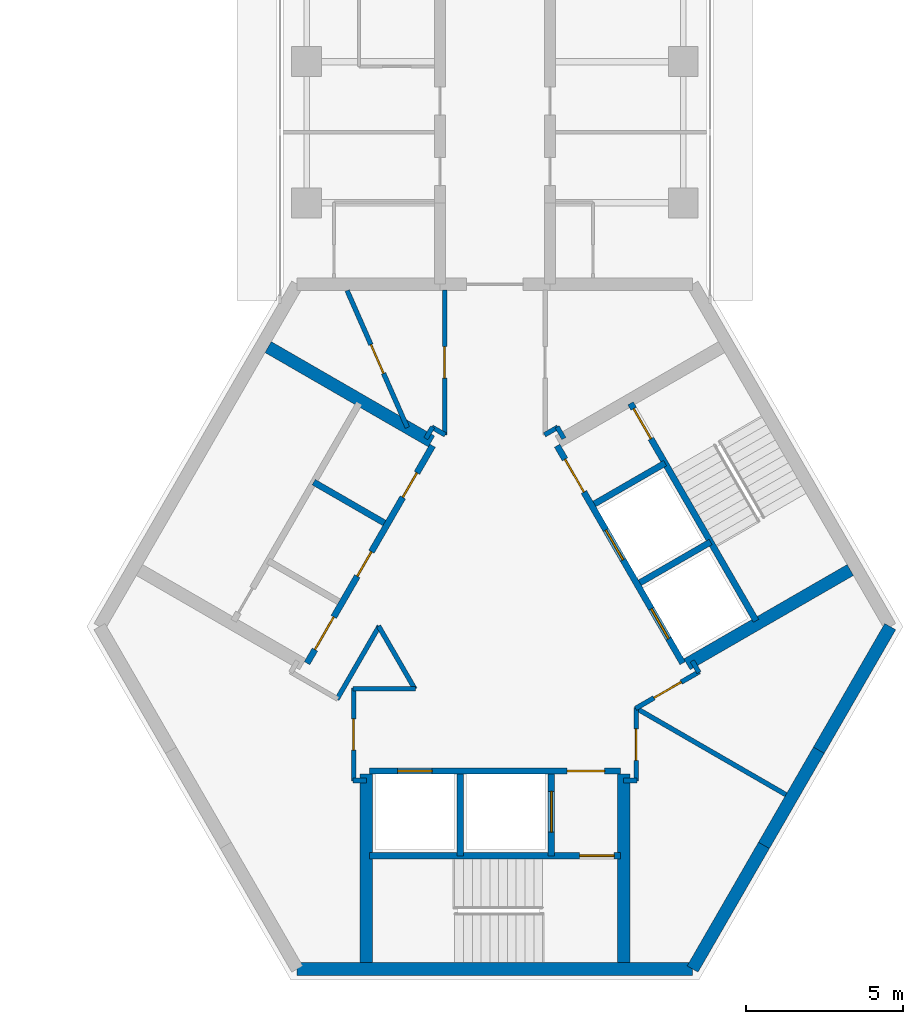
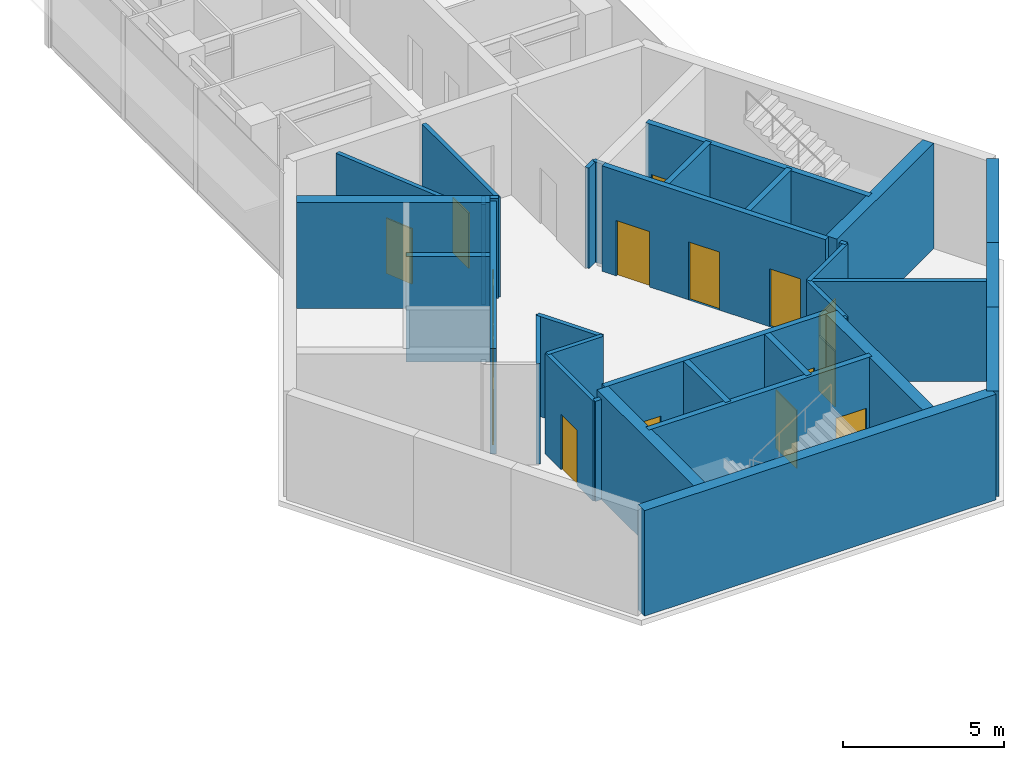
# One storey, part 8 of 11: 34 walls, 16 doors, 16 openings.
"""IFC4 building model written with IfcOpenShell, lengths in metres."""

from ifc_helpers import new_model, si_unit, direction, frame, frame_2d, origin, place, context, subcontext, project, spatial, rectangle, extrude, material, layer, layer_set, type_object, element, fill, save


model = new_model("IFC4")

# Units and contexts
model_context = context("Model", 3, precision=1e-05, world=origin(), true_north=direction((0.0, 1.0)))
body_context = subcontext(model_context, "Body", "Model", "MODEL_VIEW")
ifc_project = project(units=[si_unit("LENGTHUNIT", "METRE"), si_unit("AREAUNIT", "SQUARE_METRE"), si_unit("VOLUMEUNIT", "CUBIC_METRE"), si_unit("PLANEANGLEUNIT", "RADIAN"), si_unit("MASSUNIT", "GRAM", prefix="KILO")], contexts=[model_context])

# Site, building, storey
site_placement = place(None, origin())
site = spatial("IfcSite", under=ifc_project, at=site_placement, CompositionType="ELEMENT")
building_placement = place(site_placement, origin())
building = spatial("IfcBuilding", under=site, at=building_placement, Name="Upepo Twin Towers", CompositionType="ELEMENT")
storey_placement = place(building_placement, frame((0.0, 0.0, 267.5)))
storey = spatial("IfcBuildingStorey", under=building, at=storey_placement, Name="L65", CompositionType="ELEMENT", Elevation=267.5)

# Walls
ifc_material_1 = material(Name="Concrete C60/75", Category="concrete")
ifc_layer_1 = layer(ifc_material_1, 0.39990234375)
ifc_layer_set_1 = layer_set([ifc_layer_1], Name="Concrete C60/75")
wall_type_1 = type_object("IfcWallType", Name="Core wall 400 RC", PredefinedType="SHEAR", material=ifc_layer_set_1)
wall_1_placement = place(storey_placement, frame((52.2021484375, -28.908447265625, 0.0), z_axis=(0.0, 0.0, 1.0), x_axis=(1.0, 0.0, 0.0)))
element("IfcWall", 1, at=wall_1_placement, inside=storey, type_object=wall_type_1, Name="T2 core wall 180", PredefinedType="SHEAR", context=body_context, shape_type="SweptSolid", body=[
    extrude(rectangle(XDim=12.595703125, YDim=0.39990234375, at=frame_2d((6.2978515625, 0.0))), origin(), (0.0, 0.0, 1.0), 4.0),
])
wall_2_placement = place(storey_placement, frame((64.7978515625, -28.908447265625, 0.0), z_axis=(0.0, 0.0, 1.0), x_axis=(0.499984222037, 0.866034513004, 0.0)))
element("IfcWall", 2, at=wall_2_placement, inside=storey, type_object=wall_type_1, Name="T2 core wall 240 R", PredefinedType="SHEAR", context=body_context, shape_type="SweptSolid", body=[
    extrude(rectangle(XDim=4.548095703125, YDim=0.39990234375, at=frame_2d((2.27392578125, 0.0))), origin(), (0.0, 0.0, 1.0), 4.0),
])
wall_3_placement = place(storey_placement, frame((67.07177734375, -24.9697265625, 0.0), z_axis=(0.0, 0.0, 1.0), x_axis=(0.500010275428, 0.866019471182, 0.0)))
element("IfcWall", 3, at=wall_3_placement, inside=storey, type_object=wall_type_1, Name="T2 core wall 240", PredefinedType="SHEAR", context=body_context, shape_type="SweptSolid", body=[
    extrude(rectangle(XDim=3.5, YDim=0.39990234375, at=frame_2d((1.75, 0.0))), origin(), (0.0, 0.0, 1.0), 4.0),
])
wall_4_placement = place(storey_placement, frame((68.82177734375, -21.938720703125, 0.0), z_axis=(0.0, 0.0, 1.0), x_axis=(0.500024481964, 0.866011268655, 0.0)))
element("IfcWall", 4, at=wall_4_placement, inside=storey, type_object=wall_type_1, Name="T2 core wall 240 L", PredefinedType="SHEAR", context=body_context, shape_type="SweptSolid", body=[
    extrude(rectangle(XDim=4.548095703125, YDim=0.39990234375, at=frame_2d((2.27392578125, 0.0))), origin(), (0.0, 0.0, 1.0), 4.0),
])

# Wall, openings, doors
ifc_material_2 = material(Name="Concrete C40/50", Category="concrete")
ifc_layer_2 = layer(ifc_material_2, 0.199951171875)
ifc_layer_set_2 = layer_set([ifc_layer_2], Name="Concrete C40/50")
wall_type_2 = type_object("IfcWallType", Name="Shaft wall 200 RC", PredefinedType="SHEAR", material=ifc_layer_set_2)
wall_5_placement = place(storey_placement, frame((56.516357421875, -12.23583984375, 0.0), z_axis=(0.0, 0.0, 1.0), x_axis=(-0.49999894854, -0.866026010844, 0.0)))
wall_5 = element("IfcWall", 5, at=wall_5_placement, inside=storey, type_object=wall_type_2, Name="T2 core W60 front wall", PredefinedType="SHEAR", context=body_context, shape_type="SweptSolid", body=[
    extrude(rectangle(XDim=8.0, YDim=0.199951171875, at=frame_2d((4.0, 0.0))), origin(), (0.0, 0.0, 1.0), 4.0),
])
opening_1_placement = place(wall_5_placement, frame((6.300048828125, 0.0, 0.0)))
opening_1 = element("IfcOpeningElement", 6, at=opening_1_placement, cuts=wall_5, Name="Opening D4", PredefinedType="OPENING", context=body_context, shape_type="SweptSolid", body=[
    extrude(rectangle(XDim=1.199951171875, YDim=2.10009765625, at=frame_2d((0.60009765625, 1.050048828125))), frame((0.0, 0.10986328125, 0.0), z_axis=(0.0, -1.0, 0.0), x_axis=(1.0, 0.0, 0.0)), (0.0, 0.0, 1.0), 0.219970703125),
])
opening_2_placement = place(wall_5_placement, frame((1.0, 0.0, 0.0)))
opening_2 = element("IfcOpeningElement", 7, at=opening_2_placement, cuts=wall_5, Name="Opening D9", PredefinedType="OPENING", context=body_context, shape_type="SweptSolid", body=[
    extrude(rectangle(XDim=0.89990234375, YDim=2.10009765625, at=frame_2d((0.449951171875, 1.050048828125))), frame((0.0, 0.10986328125, 0.0), z_axis=(0.0, -1.0, 0.0), x_axis=(1.0, 0.0, 0.0)), (0.0, 0.0, 1.0), 0.219970703125),
])
opening_3_placement = place(wall_5_placement, frame((3.89990234375, 0.0, 0.0)))
opening_3 = element("IfcOpeningElement", 8, at=opening_3_placement, cuts=wall_5, Name="Opening D9", PredefinedType="OPENING", context=body_context, shape_type="SweptSolid", body=[
    extrude(rectangle(XDim=0.89990234375, YDim=2.10009765625, at=frame_2d((0.449951171875, 1.050048828125))), frame((0.0, 0.10986328125, 0.0), z_axis=(0.0, -1.0, 0.0), x_axis=(1.0, 0.0, 0.0)), (0.0, 0.0, 1.0), 0.219970703125),
])
ifc_material_3 = material(Name="Timber doorset", Category="wood")
door_type_1 = type_object("IfcDoorType", Name="Lobby door 1200 FD60", OperationType="SINGLE_SWING_LEFT", PredefinedType="DOOR", material=ifc_material_3)
door_1_placement = place(opening_1_placement, origin())
door_1 = element("IfcDoor", 9, at=door_1_placement, inside=storey, type_object=door_type_1, Name="T2 L65 W60 lobby door", OperationType="SINGLE_SWING_RIGHT", OverallHeight=2.10009765625, OverallWidth=1.199951171875, PredefinedType="DOOR", context=body_context, shape_type="SweptSolid", body=[
    extrude(rectangle(XDim=1.199951171875, YDim=2.10009765625, at=frame_2d((0.60009765625, 1.050048828125))), frame((0.0, 0.02490234375, 0.0), z_axis=(0.0, -1.0, 0.0), x_axis=(1.0, 0.0, 0.0)), (0.0, 0.0, 1.0), 0.050048828125),
])
fill(opening_1, door_1)
ifc_material_4 = material(Name="Timber doorset", Category="wood")
door_type_2 = type_object("IfcDoorType", Name="Riser door 900 FD60", OperationType="SINGLE_SWING_LEFT", PredefinedType="DOOR", material=ifc_material_4)
door_2_placement = place(opening_2_placement, origin())
door_2 = element("IfcDoor", 10, at=door_2_placement, inside=storey, type_object=door_type_2, Name="T2 L65 archive store door", OperationType="SINGLE_SWING_LEFT", OverallHeight=2.10009765625, OverallWidth=0.89990234375, PredefinedType="DOOR", context=body_context, shape_type="SweptSolid", body=[
    extrude(rectangle(XDim=0.89990234375, YDim=2.10009765625, at=frame_2d((0.449951171875, 1.050048828125))), frame((0.0, 0.02490234375, 0.0), z_axis=(0.0, -1.0, 0.0), x_axis=(1.0, 0.0, 0.0)), (0.0, 0.0, 1.0), 0.050048828125),
])
fill(opening_2, door_2)
door_3_placement = place(opening_3_placement, origin())
door_3 = element("IfcDoor", 11, at=door_3_placement, inside=storey, type_object=door_type_2, Name="T2 L65 pantry store door", OperationType="SINGLE_SWING_RIGHT", OverallHeight=2.10009765625, OverallWidth=0.89990234375, PredefinedType="DOOR", context=body_context, shape_type="SweptSolid", body=[
    extrude(rectangle(XDim=0.89990234375, YDim=2.10009765625, at=frame_2d((0.449951171875, 1.050048828125))), frame((0.0, 0.02490234375, 0.0), z_axis=(0.0, -1.0, 0.0), x_axis=(1.0, 0.0, 0.0)), (0.0, 0.0, 1.0), 0.050048828125),
])
fill(opening_3, door_3)

# Wall
wall_6_placement = place(storey_placement, frame((54.979736328125, -14.697265625, 0.0), z_axis=(0.0, 0.0, 1.0), x_axis=(-0.866062058628, 0.499936506574, 0.0)))
element("IfcWall", 12, at=wall_6_placement, inside=storey, type_object=wall_type_2, Name="T2 core W60 shaft divider", PredefinedType="SHEAR", context=body_context, shape_type="SweptSolid", body=[
    extrude(rectangle(XDim=2.599853515625, YDim=0.199951171875, at=frame_2d((1.2998046875, 0.0))), origin(), (0.0, 0.0, 1.0), 4.0),
])

# Wall, openings, doors
wall_7_placement = place(storey_placement, frame((54.5, -22.60009765625, 0.0), z_axis=(0.0, 0.0, 1.0), x_axis=(1.0, 0.0, 0.0)))
wall_7 = element("IfcWall", 13, at=wall_7_placement, inside=storey, type_object=wall_type_2, Name="T2 core W180 front wall", PredefinedType="SHEAR", context=body_context, shape_type="SweptSolid", body=[
    extrude(rectangle(XDim=8.0, YDim=0.199951171875, at=frame_2d((4.0, 0.0))), origin(), (0.0, 0.0, 1.0), 4.0),
])
opening_4_placement = place(wall_7_placement, frame((6.300048828125, 0.0, 0.0)))
opening_4 = element("IfcOpeningElement", 14, at=opening_4_placement, cuts=wall_7, Name="Opening D4", PredefinedType="OPENING", context=body_context, shape_type="SweptSolid", body=[
    extrude(rectangle(XDim=1.199951171875, YDim=2.10009765625, at=frame_2d((0.60009765625, 1.050048828125))), frame((0.0, 0.10986328125, 0.0), z_axis=(0.0, -1.0, 0.0), x_axis=(1.0, 0.0, 0.0)), (0.0, 0.0, 1.0), 0.219970703125),
])
opening_5_placement = place(wall_7_placement, frame((0.89990234375, 0.0, 0.0)))
opening_5 = element("IfcOpeningElement", 15, at=opening_5_placement, cuts=wall_7, Name="Opening LD1", PredefinedType="OPENING", context=body_context, shape_type="SweptSolid", body=[
    extrude(rectangle(XDim=1.10009765625, YDim=2.199951171875, at=frame_2d((0.550048828125, 1.10009765625))), frame((0.0, 0.10986328125, 0.0), z_axis=(0.0, -1.0, 0.0), x_axis=(1.0, 0.0, 0.0)), (0.0, 0.0, 1.0), 0.219970703125),
])
ifc_material_5 = material(Name="Steel doorset", Category="steel")
door_type_3 = type_object("IfcDoorType", Name="Lift landing door 1100", OperationType="DOUBLE_DOOR_SLIDING", PredefinedType="DOOR", material=ifc_material_5)
door_4_placement = place(opening_5_placement, origin())
door_4 = element("IfcDoor", 16, at=door_4_placement, inside=storey, type_object=door_type_3, Name="T2 L65 lift SV1 landing door", OperationType="DOUBLE_DOOR_SLIDING", OverallHeight=2.199951171875, OverallWidth=1.10009765625, PredefinedType="DOOR", context=body_context, shape_type="SweptSolid", body=[
    extrude(rectangle(XDim=1.10009765625, YDim=2.199951171875, at=frame_2d((0.550048828125, 1.10009765625))), frame((0.0, 0.02490234375, 0.0), z_axis=(0.0, -1.0, 0.0), x_axis=(1.0, 0.0, 0.0)), (0.0, 0.0, 1.0), 0.050048828125),
])
fill(opening_5, door_4)
door_5_placement = place(opening_4_placement, origin())
door_5 = element("IfcDoor", 17, at=door_5_placement, inside=storey, type_object=door_type_1, Name="T2 L65 W180 lobby door", OperationType="SINGLE_SWING_RIGHT", OverallHeight=2.10009765625, OverallWidth=1.199951171875, PredefinedType="DOOR", context=body_context, shape_type="SweptSolid", body=[
    extrude(rectangle(XDim=1.199951171875, YDim=2.10009765625, at=frame_2d((0.60009765625, 1.050048828125))), frame((0.0, 0.02490234375, 0.0), z_axis=(0.0, -1.0, 0.0), x_axis=(1.0, 0.0, 0.0)), (0.0, 0.0, 1.0), 0.050048828125),
])
fill(opening_4, door_5)

# Wall
wall_8_placement = place(storey_placement, frame((57.39990234375, -22.699951171875, 0.0), z_axis=(0.0, 0.0, 1.0), x_axis=(0.0, -1.0, 0.0)))
element("IfcWall", 18, at=wall_8_placement, inside=storey, type_object=wall_type_2, Name="T2 core W180 shaft divider", PredefinedType="SHEAR", context=body_context, shape_type="SweptSolid", body=[
    extrude(rectangle(XDim=2.60009765625, YDim=0.199951171875, at=frame_2d((1.300048828125, 0.0))), origin(), (0.0, 0.0, 1.0), 4.0),
])

# Wall, opening, door
wall_9_placement = place(storey_placement, frame((60.300048828125, -22.699951171875, 0.0), z_axis=(0.0, 0.0, 1.0), x_axis=(0.0, -1.0, 0.0)))
wall_9 = element("IfcWall", 19, at=wall_9_placement, inside=storey, type_object=wall_type_2, Name="T2 core W180 lobby wall", PredefinedType="SHEAR", context=body_context, shape_type="SweptSolid", body=[
    extrude(rectangle(XDim=2.60009765625, YDim=0.199951171875, at=frame_2d((1.300048828125, 0.0))), origin(), (0.0, 0.0, 1.0), 4.0),
])
opening_6_placement = place(wall_9_placement, frame((0.550048828125, 0.0, 0.0)))
opening_6 = element("IfcOpeningElement", 20, at=opening_6_placement, cuts=wall_9, Name="Opening LD2", PredefinedType="OPENING", context=body_context, shape_type="SweptSolid", body=[
    extrude(rectangle(XDim=1.300048828125, YDim=2.199951171875, at=frame_2d((0.64990234375, 1.10009765625))), frame((0.0, 0.10986328125, 0.0), z_axis=(0.0, -1.0, 0.0), x_axis=(1.0, 0.0, 0.0)), (0.0, 0.0, 1.0), 0.219970703125),
])
ifc_material_6 = material(Name="Steel doorset", Category="steel")
door_type_4 = type_object("IfcDoorType", Name="Firefighting lift landing door 1300", OperationType="DOUBLE_DOOR_SLIDING", PredefinedType="DOOR", material=ifc_material_6)
door_6_placement = place(opening_6_placement, origin())
door_6 = element("IfcDoor", 21, at=door_6_placement, inside=storey, type_object=door_type_4, Name="T2 L65 firefighting lift landing door", OperationType="DOUBLE_DOOR_SLIDING", OverallHeight=2.199951171875, OverallWidth=1.300048828125, PredefinedType="DOOR", context=body_context, shape_type="SweptSolid", body=[
    extrude(rectangle(XDim=1.300048828125, YDim=2.199951171875, at=frame_2d((0.64990234375, 1.10009765625))), frame((0.0, 0.02490234375, 0.0), z_axis=(0.0, -1.0, 0.0), x_axis=(1.0, 0.0, 0.0)), (0.0, 0.0, 1.0), 0.050048828125),
])
fill(opening_6, door_6)

wall_10_placement = place(storey_placement, frame((54.5, -25.300048828125, 0.0), z_axis=(0.0, 0.0, 1.0), x_axis=(1.0, 0.0, 0.0)))
wall_10 = element("IfcWall", 22, at=wall_10_placement, inside=storey, type_object=wall_type_2, Name="T2 core W180 stair wall", PredefinedType="SHEAR", context=body_context, shape_type="SweptSolid", body=[
    extrude(rectangle(XDim=8.0, YDim=0.199951171875, at=frame_2d((4.0, 0.0))), origin(), (0.0, 0.0, 1.0), 4.0),
])
opening_7_placement = place(wall_10_placement, frame((6.699951171875, 0.0, 0.0)))
opening_7 = element("IfcOpeningElement", 23, at=opening_7_placement, cuts=wall_10, Name="Opening D3", PredefinedType="OPENING", context=body_context, shape_type="SweptSolid", body=[
    extrude(rectangle(XDim=1.10009765625, YDim=2.10009765625, at=frame_2d((0.550048828125, 1.050048828125))), frame((0.0, 0.10986328125, 0.0), z_axis=(0.0, -1.0, 0.0), x_axis=(1.0, 0.0, 0.0)), (0.0, 0.0, 1.0), 0.219970703125),
])
ifc_material_7 = material(Name="Timber doorset", Category="wood")
door_type_5 = type_object("IfcDoorType", Name="Stair door 1100 FD60", OperationType="SINGLE_SWING_LEFT", PredefinedType="DOOR", material=ifc_material_7)
door_7_placement = place(opening_7_placement, origin())
door_7 = element("IfcDoor", 24, at=door_7_placement, inside=storey, type_object=door_type_5, Name="T2 L65 stair door", OperationType="SINGLE_SWING_RIGHT", OverallHeight=2.10009765625, OverallWidth=1.10009765625, PredefinedType="DOOR", context=body_context, shape_type="SweptSolid", body=[
    extrude(rectangle(XDim=1.10009765625, YDim=2.10009765625, at=frame_2d((0.550048828125, 1.050048828125))), frame((0.0, 0.02490234375, 0.0), z_axis=(0.0, -1.0, 0.0), x_axis=(1.0, 0.0, 0.0)), (0.0, 0.0, 1.0), 0.050048828125),
])
fill(opening_7, door_7)

# Wall, openings, doors
wall_11_placement = place(storey_placement, frame((64.483642578125, -19.1640625, 0.0), z_axis=(0.0, 0.0, 1.0), x_axis=(-0.49999894854, 0.866026010844, 0.0)))
wall_11 = element("IfcWall", 25, at=wall_11_placement, inside=storey, type_object=wall_type_2, Name="T2 core W300 front wall", PredefinedType="SHEAR", context=body_context, shape_type="SweptSolid", body=[
    extrude(rectangle(XDim=8.0, YDim=0.199951171875, at=frame_2d((4.0, 0.0))), origin(), (0.0, 0.0, 1.0), 4.0),
])
opening_8_placement = place(wall_11_placement, frame((6.300048828125, 0.0, 0.0)))
opening_8 = element("IfcOpeningElement", 26, at=opening_8_placement, cuts=wall_11, Name="Opening D4", PredefinedType="OPENING", context=body_context, shape_type="SweptSolid", body=[
    extrude(rectangle(XDim=1.199951171875, YDim=2.10009765625, at=frame_2d((0.60009765625, 1.050048828125))), frame((0.0, 0.10986328125, 0.0), z_axis=(0.0, -1.0, 0.0), x_axis=(1.0, 0.0, 0.0)), (0.0, 0.0, 1.0), 0.219970703125),
])
opening_9_placement = place(wall_11_placement, frame((0.89990234375, 0.0, 0.0)))
opening_9 = element("IfcOpeningElement", 27, at=opening_9_placement, cuts=wall_11, Name="Opening LD1", PredefinedType="OPENING", context=body_context, shape_type="SweptSolid", body=[
    extrude(rectangle(XDim=1.10009765625, YDim=2.199951171875, at=frame_2d((0.550048828125, 1.10009765625))), frame((0.0, 0.10986328125, 0.0), z_axis=(0.0, -1.0, 0.0), x_axis=(1.0, 0.0, 0.0)), (0.0, 0.0, 1.0), 0.219970703125),
])
opening_10_placement = place(wall_11_placement, frame((3.800048828125, 0.0, 0.0)))
opening_10 = element("IfcOpeningElement", 28, at=opening_10_placement, cuts=wall_11, Name="Opening LD1", PredefinedType="OPENING", context=body_context, shape_type="SweptSolid", body=[
    extrude(rectangle(XDim=1.10009765625, YDim=2.199951171875, at=frame_2d((0.550048828125, 1.10009765625))), frame((0.0, 0.10986328125, 0.0), z_axis=(0.0, -1.0, 0.0), x_axis=(1.0, 0.0, 0.0)), (0.0, 0.0, 1.0), 0.219970703125),
])
door_8_placement = place(opening_9_placement, origin())
door_8 = element("IfcDoor", 29, at=door_8_placement, inside=storey, type_object=door_type_3, Name="T2 L65 lift TL1 landing door", OperationType="DOUBLE_DOOR_SLIDING", OverallHeight=2.199951171875, OverallWidth=1.10009765625, PredefinedType="DOOR", context=body_context, shape_type="SweptSolid", body=[
    extrude(rectangle(XDim=1.10009765625, YDim=2.199951171875, at=frame_2d((0.550048828125, 1.10009765625))), frame((0.0, 0.02490234375, 0.0), z_axis=(0.0, -1.0, 0.0), x_axis=(1.0, 0.0, 0.0)), (0.0, 0.0, 1.0), 0.050048828125),
])
fill(opening_9, door_8)
door_9_placement = place(opening_10_placement, origin())
door_9 = element("IfcDoor", 30, at=door_9_placement, inside=storey, type_object=door_type_3, Name="T2 L65 lift TL2 landing door", OperationType="DOUBLE_DOOR_SLIDING", OverallHeight=2.199951171875, OverallWidth=1.10009765625, PredefinedType="DOOR", context=body_context, shape_type="SweptSolid", body=[
    extrude(rectangle(XDim=1.10009765625, YDim=2.199951171875, at=frame_2d((0.550048828125, 1.10009765625))), frame((0.0, 0.02490234375, 0.0), z_axis=(0.0, -1.0, 0.0), x_axis=(1.0, 0.0, 0.0)), (0.0, 0.0, 1.0), 0.050048828125),
])
fill(opening_10, door_9)
door_10_placement = place(opening_8_placement, origin())
door_10 = element("IfcDoor", 31, at=door_10_placement, inside=storey, type_object=door_type_1, Name="T2 L65 W300 lobby door", OperationType="SINGLE_SWING_RIGHT", OverallHeight=2.10009765625, OverallWidth=1.199951171875, PredefinedType="DOOR", context=body_context, shape_type="SweptSolid", body=[
    extrude(rectangle(XDim=1.199951171875, YDim=2.10009765625, at=frame_2d((0.60009765625, 1.050048828125))), frame((0.0, 0.02490234375, 0.0), z_axis=(0.0, -1.0, 0.0), x_axis=(1.0, 0.0, 0.0)), (0.0, 0.0, 1.0), 0.050048828125),
])
fill(opening_8, door_10)

# Walls
wall_12_placement = place(storey_placement, frame((63.120361328125, -16.6025390625, 0.0), z_axis=(0.0, 0.0, 1.0), x_axis=(0.866062058628, 0.499936506574, 0.0)))
element("IfcWall", 32, at=wall_12_placement, inside=storey, type_object=wall_type_2, Name="T2 core W300 shaft divider", PredefinedType="SHEAR", context=body_context, shape_type="SweptSolid", body=[
    extrude(rectangle(XDim=2.599853515625, YDim=0.199951171875, at=frame_2d((1.2998046875, 0.0))), origin(), (0.0, 0.0, 1.0), 4.0),
])
wall_13_placement = place(storey_placement, frame((61.67041015625, -14.091064453125, 0.0), z_axis=(0.0, 0.0, 1.0), x_axis=(0.86603858612, 0.49997716683, 0.0)))
element("IfcWall", 33, at=wall_13_placement, inside=storey, type_object=wall_type_2, Name="T2 core W300 lobby wall", PredefinedType="SHEAR", context=body_context, shape_type="SweptSolid", body=[
    extrude(rectangle(XDim=2.599609375, YDim=0.199951171875, at=frame_2d((1.2998046875, 0.0))), origin(), (0.0, 0.0, 1.0), 4.0),
])

# Wall, opening, door
wall_14_placement = place(storey_placement, frame((66.822021484375, -17.814208984375, 0.0), z_axis=(0.0, 0.0, 1.0), x_axis=(-0.49999894854, 0.866026010844, 0.0)))
wall_14 = element("IfcWall", 34, at=wall_14_placement, inside=storey, type_object=wall_type_2, Name="T2 core W300 stair wall", PredefinedType="SHEAR", context=body_context, shape_type="SweptSolid", body=[
    extrude(rectangle(XDim=8.0, YDim=0.199951171875, at=frame_2d((4.0, 0.0))), origin(), (0.0, 0.0, 1.0), 4.0),
])
opening_11_placement = place(wall_14_placement, frame((6.699951171875, 0.0, 0.0)))
opening_11 = element("IfcOpeningElement", 35, at=opening_11_placement, cuts=wall_14, Name="Opening D3", PredefinedType="OPENING", context=body_context, shape_type="SweptSolid", body=[
    extrude(rectangle(XDim=1.10009765625, YDim=2.10009765625, at=frame_2d((0.550048828125, 1.050048828125))), frame((0.0, 0.10986328125, 0.0), z_axis=(0.0, -1.0, 0.0), x_axis=(1.0, 0.0, 0.0)), (0.0, 0.0, 1.0), 0.219970703125),
])
door_11_placement = place(opening_11_placement, origin())
door_11 = element("IfcDoor", 36, at=door_11_placement, inside=storey, type_object=door_type_5, Name="T2 L65 stair door", OperationType="SINGLE_SWING_RIGHT", OverallHeight=2.10009765625, OverallWidth=1.10009765625, PredefinedType="DOOR", context=body_context, shape_type="SweptSolid", body=[
    extrude(rectangle(XDim=1.10009765625, YDim=2.10009765625, at=frame_2d((0.550048828125, 1.050048828125))), frame((0.0, 0.02490234375, 0.0), z_axis=(0.0, -1.0, 0.0), x_axis=(1.0, 0.0, 0.0)), (0.0, 0.0, 1.0), 0.050048828125),
])
fill(opening_11, door_11)

# Walls
ifc_material_8 = material(Name="Concrete C40/50", Category="concrete")
ifc_layer_3 = layer(ifc_material_8, 0.39990234375)
ifc_layer_set_3 = layer_set([ifc_layer_3], Name="Concrete C40/50")
wall_type_3 = type_object("IfcWallType", Name="Shaft wall 400 RC", PredefinedType="SHEAR", material=ifc_layer_set_3)
for number, where, z_axis, x_axis, name in (
    (37, (56.479736328125, -12.099365234375, 0.0), (0.0, 0.0, 1.0), (-0.866026570101, 0.499997979876, 0.0), "T2 core W60 side wall S"),
    (38, (62.60009765625, -22.699951171875, 0.0), (0.0, 0.0, 1.0), (0.0, -1.0, 0.0), "T2 core W180 side wall N"),
    (39, (54.39990234375, -22.699951171875, 0.0), (0.0, 0.0, 1.0), (0.0, -1.0, 0.0), "T2 core W180 side wall S"),
    (40, (64.620361328125, -19.20068359375, 0.0), (0.0, 0.0, 1.0), (0.866026570101, 0.499997979876, 0.0), "T2 core W300 side wall S"),
):
    element("IfcWall", number, at=place(storey_placement, frame(where, z_axis=z_axis, x_axis=x_axis)), inside=storey, type_object=wall_type_3, Name=name, PredefinedType="SHEAR", context=body_context, shape_type="SweptSolid", body=[
        extrude(rectangle(XDim=6.00830078125, YDim=0.39990234375, at=frame_2d((3.004150390625, 0.0))), origin(), (0.0, 0.0, 1.0), 4.0),
    ])
ifc_material_9 = material(Name="Gypsum board on steel studs", Category="steel")
ifc_layer_4 = layer(ifc_material_9, 0.14990234375)
ifc_layer_set_4 = layer_set([ifc_layer_4], Name="Teaching partition 150 acoustic")
wall_type_4 = type_object("IfcWallType", Name="Teaching partition 150 acoustic", PredefinedType="PARTITIONING", material=ifc_layer_set_4)
for number, where, z_axis, x_axis, name in (
    (41, (63.02001953125, -22.89990234375, 0.0), (0.0, 0.0, 1.0), (-1.0, 0.0, 0.0), "T2 core room partition 1"),
    (42, (54.409912109375, -22.89990234375, 0.0), (0.0, 0.0, 1.0), (-1.0, 0.0, 0.0), "T2 core room partition 2"),
):
    element("IfcWall", number, at=place(storey_placement, frame(where, z_axis=z_axis, x_axis=x_axis)), inside=storey, type_object=wall_type_4, Name=name, PredefinedType="PARTITIONING", context=body_context, shape_type="SweptSolid", body=[
        extrude(rectangle(XDim=0.429931640625, YDim=0.14990234375, at=frame_2d((0.21484375, 0.0))), origin(), (0.0, 0.0, 1.0), 3.800048828125),
    ])

# Wall, opening, door
wall_15_placement = place(storey_placement, frame((54.0, -22.919921875, 0.0), z_axis=(0.0, 0.0, 1.0), x_axis=(0.0, 1.0, 0.0)))
wall_15 = element("IfcWall", 43, at=wall_15_placement, inside=storey, type_object=wall_type_4, Name="T2 core room partition 3", PredefinedType="PARTITIONING", context=body_context, shape_type="SweptSolid", body=[
    extrude(rectangle(XDim=2.96484375, YDim=0.14990234375, at=frame_2d((1.482421875, 0.0))), origin(), (0.0, 0.0, 1.0), 3.800048828125),
])
opening_12_placement = place(wall_15_placement, frame((0.982421875, 0.0, 0.0)))
opening_12 = element("IfcOpeningElement", 44, at=opening_12_placement, cuts=wall_15, Name="Opening D1", PredefinedType="OPENING", context=body_context, shape_type="SweptSolid", body=[
    extrude(rectangle(XDim=1.0, YDim=2.10009765625, at=frame_2d((0.5, 1.050048828125))), frame((0.0, 0.0849609375, 0.0), z_axis=(0.0, -1.0, 0.0), x_axis=(1.0, 0.0, 0.0)), (0.0, 0.0, 1.0), 0.169921875),
])
ifc_material_10 = material(Name="Timber doorset", Category="wood")
door_type_6 = type_object("IfcDoorType", Name="Room door 1000 FD30", OperationType="SINGLE_SWING_LEFT", PredefinedType="DOOR", material=ifc_material_10)
door_12_placement = place(opening_12_placement, origin())
door_12 = element("IfcDoor", 45, at=door_12_placement, inside=storey, type_object=door_type_6, Name="T2 L65 core room door K1", OperationType="SINGLE_SWING_RIGHT", OverallHeight=2.10009765625, OverallWidth=1.0, PredefinedType="DOOR", context=body_context, shape_type="SweptSolid", body=[
    extrude(rectangle(XDim=1.0, YDim=2.10009765625, at=frame_2d((0.5, 1.050048828125))), frame((0.0, 0.02490234375, 0.0), z_axis=(0.0, -1.0, 0.0), x_axis=(1.0, 0.0, 0.0)), (0.0, 0.0, 1.0), 0.050048828125),
])
fill(opening_12, door_12)

# Walls
wall_16_placement = place(storey_placement, frame((53.97998046875, -19.97509765625, 0.0), z_axis=(0.0, 0.0, 1.0), x_axis=(1.0, 0.0, 0.0)))
element("IfcWall", 46, at=wall_16_placement, inside=storey, type_object=wall_type_4, Name="T2 core room partition 4", PredefinedType="PARTITIONING", context=body_context, shape_type="SweptSolid", body=[
    extrude(rectangle(XDim=1.985107421875, YDim=0.14990234375, at=frame_2d((0.99267578125, 0.0))), origin(), (0.0, 0.0, 1.0), 3.800048828125),
])
wall_17_placement = place(storey_placement, frame((55.955078125, -19.992431640625, 0.0), z_axis=(0.0, 0.0, 1.0), x_axis=(-0.499941024108, 0.866059450854, 0.0)))
element("IfcWall", 47, at=wall_17_placement, inside=storey, type_object=wall_type_4, Name="T2 core room partition 5", PredefinedType="PARTITIONING", context=body_context, shape_type="SweptSolid", body=[
    extrude(rectangle(XDim=2.320556640625, YDim=0.14990234375, at=frame_2d((1.16015625, 0.0))), origin(), (0.0, 0.0, 1.0), 3.800048828125),
])
wall_18_placement = place(storey_placement, frame((54.81494140625, -17.982666015625, 0.0), z_axis=(0.0, 0.0, 1.0), x_axis=(-0.499981473571, -0.866036099759, 0.0)))
element("IfcWall", 48, at=wall_18_placement, inside=storey, type_object=wall_type_4, Name="T2 core room partition 6", PredefinedType="PARTITIONING", context=body_context, shape_type="SweptSolid", body=[
    extrude(rectangle(XDim=2.6923828125, YDim=0.14990234375, at=frame_2d((1.34619140625, 0.0))), origin(), (0.0, 0.0, 1.0), 3.800048828125),
])
wall_19_placement = place(storey_placement, frame((56.301513671875, -12.0078125, 0.0), z_axis=(0.0, 0.0, 1.0), x_axis=(0.500230298122, 0.865892400268, 0.0)))
element("IfcWall", 49, at=wall_19_placement, inside=storey, type_object=wall_type_4, Name="T2 core room partition 9", PredefinedType="PARTITIONING", context=body_context, shape_type="SweptSolid", body=[
    extrude(rectangle(XDim=0.429931640625, YDim=0.14990234375, at=frame_2d((0.21484375, 0.0))), origin(), (0.0, 0.0, 1.0), 3.800048828125),
])
wall_20_placement = place(storey_placement, frame((56.4892578125, -11.642822265625, 0.0), z_axis=(0.0, 0.0, 1.0), x_axis=(0.865831790172, -0.50033519877, 0.0)))
element("IfcWall", 50, at=wall_20_placement, inside=storey, type_object=wall_type_4, Name="T2 core room partition 10", PredefinedType="PARTITIONING", context=body_context, shape_type="SweptSolid", body=[
    extrude(rectangle(XDim=0.494384765625, YDim=0.14990234375, at=frame_2d((0.2470703125, 0.0))), origin(), (0.0, 0.0, 1.0), 3.800048828125),
])

# Wall, opening, door
wall_21_placement = place(storey_placement, frame((56.89990234375, -11.900146484375, 0.0), z_axis=(0.0, 0.0, 1.0), x_axis=(0.0, 1.0, 0.0)))
wall_21 = element("IfcWall", 51, at=wall_21_placement, inside=storey, type_object=wall_type_4, Name="T2 core room partition 11", PredefinedType="PARTITIONING", context=body_context, shape_type="SweptSolid", body=[
    extrude(rectangle(XDim=4.618408203125, YDim=0.14990234375, at=frame_2d((2.30908203125, 0.0))), origin(), (0.0, 0.0, 1.0), 3.800048828125),
])
opening_13_placement = place(wall_21_placement, frame((1.8193359375, 0.0, 0.0)))
opening_13 = element("IfcOpeningElement", 52, at=opening_13_placement, cuts=wall_21, Name="Opening D1", PredefinedType="OPENING", context=body_context, shape_type="SweptSolid", body=[
    extrude(rectangle(XDim=1.0, YDim=2.10009765625, at=frame_2d((0.5, 1.050048828125))), frame((0.0, 0.0849609375, 0.0), z_axis=(0.0, -1.0, 0.0), x_axis=(1.0, 0.0, 0.0)), (0.0, 0.0, 1.0), 0.169921875),
])
door_13_placement = place(opening_13_placement, origin())
door_13 = element("IfcDoor", 53, at=door_13_placement, inside=storey, type_object=door_type_6, Name="T2 L65 core room door K6", OperationType="SINGLE_SWING_RIGHT", OverallHeight=2.10009765625, OverallWidth=1.0, PredefinedType="DOOR", context=body_context, shape_type="SweptSolid", body=[
    extrude(rectangle(XDim=1.0, YDim=2.10009765625, at=frame_2d((0.5, 1.050048828125))), frame((0.0, 0.02490234375, 0.0), z_axis=(0.0, -1.0, 0.0), x_axis=(1.0, 0.0, 0.0)), (0.0, 0.0, 1.0), 0.050048828125),
])
fill(opening_13, door_13)

# Walls
wall_22_placement = place(storey_placement, frame((60.082763671875, -11.89013671875, 0.0), z_axis=(0.0, 0.0, 1.0), x_axis=(0.865831790172, 0.50033519877, 0.0)))
element("IfcWall", 54, at=wall_22_placement, inside=storey, type_object=wall_type_4, Name="T2 core room partition 13", PredefinedType="PARTITIONING", context=body_context, shape_type="SweptSolid", body=[
    extrude(rectangle(XDim=0.494384765625, YDim=0.14990234375, at=frame_2d((0.2470703125, 0.0))), origin(), (0.0, 0.0, 1.0), 3.800048828125),
])
for number, where, z_axis, x_axis, name in (
    (55, (60.4833984375, -11.635498046875, 0.0), (0.0, 0.0, 1.0), (0.500230298122, -0.865892400268, 0.0), "T2 core room partition 14"),
    (56, (64.78857421875, -19.092041015625, 0.0), (0.0, 0.0, 1.0), (0.499804398801, -0.866138304741, 0.0), "T2 core room partition 15"),
):
    element("IfcWall", number, at=place(storey_placement, frame(where, z_axis=z_axis, x_axis=x_axis)), inside=storey, type_object=wall_type_4, Name=name, PredefinedType="PARTITIONING", context=body_context, shape_type="SweptSolid", body=[
        extrude(rectangle(XDim=0.429931640625, YDim=0.14990234375, at=frame_2d((0.21484375, 0.0))), origin(), (0.0, 0.0, 1.0), 3.800048828125),
    ])

# Wall, opening, door
wall_23_placement = place(storey_placement, frame((65.0107421875, -19.43701171875, 0.0), z_axis=(0.0, 0.0, 1.0), x_axis=(-0.865982457891, -0.500074377092, 0.0)))
wall_23 = element("IfcWall", 57, at=wall_23_placement, inside=storey, type_object=wall_type_4, Name="T2 core room partition 16", PredefinedType="PARTITIONING", context=body_context, shape_type="SweptSolid", body=[
    extrude(rectangle(XDim=2.342041015625, YDim=0.14990234375, at=frame_2d((1.1708984375, 0.0))), origin(), (0.0, 0.0, 1.0), 3.800048828125),
])
opening_14_placement = place(wall_23_placement, frame((0.660888671875, 0.0, 0.0)))
opening_14 = element("IfcOpeningElement", 58, at=opening_14_placement, cuts=wall_23, Name="Opening D1", PredefinedType="OPENING", context=body_context, shape_type="SweptSolid", body=[
    extrude(rectangle(XDim=1.0, YDim=2.10009765625, at=frame_2d((0.5, 1.050048828125))), frame((0.0, 0.0849609375, 0.0), z_axis=(0.0, -1.0, 0.0), x_axis=(1.0, 0.0, 0.0)), (0.0, 0.0, 1.0), 0.169921875),
])
door_14_placement = place(opening_14_placement, origin())
door_14 = element("IfcDoor", 59, at=door_14_placement, inside=storey, type_object=door_type_6, Name="T2 L65 core room door K3", OperationType="SINGLE_SWING_LEFT", OverallHeight=2.10009765625, OverallWidth=1.0, PredefinedType="DOOR", context=body_context, shape_type="SweptSolid", body=[
    extrude(rectangle(XDim=1.0, YDim=2.10009765625, at=frame_2d((0.5, 1.050048828125))), frame((0.0, 0.02490234375, 0.0), z_axis=(0.0, -1.0, 0.0), x_axis=(1.0, 0.0, 0.0)), (0.0, 0.0, 1.0), 0.050048828125),
])
fill(opening_14, door_14)

wall_24_placement = place(storey_placement, frame((63.0, -20.578125, 0.0), z_axis=(0.0, 0.0, 1.0), x_axis=(0.0, -1.0, 0.0)))
wall_24 = element("IfcWall", 60, at=wall_24_placement, inside=storey, type_object=wall_type_4, Name="T2 core room partition 17", PredefinedType="PARTITIONING", context=body_context, shape_type="SweptSolid", body=[
    extrude(rectangle(XDim=2.341796875, YDim=0.14990234375, at=frame_2d((1.1708984375, 0.0))), origin(), (0.0, 0.0, 1.0), 3.800048828125),
])
opening_15_placement = place(wall_24_placement, frame((0.68115234375, 0.0, 0.0)))
opening_15 = element("IfcOpeningElement", 61, at=opening_15_placement, cuts=wall_24, Name="Opening D1", PredefinedType="OPENING", context=body_context, shape_type="SweptSolid", body=[
    extrude(rectangle(XDim=1.0, YDim=2.10009765625, at=frame_2d((0.5, 1.050048828125))), frame((0.0, 0.0849609375, 0.0), z_axis=(0.0, -1.0, 0.0), x_axis=(1.0, 0.0, 0.0)), (0.0, 0.0, 1.0), 0.169921875),
])
door_15_placement = place(opening_15_placement, origin())
door_15 = element("IfcDoor", 62, at=door_15_placement, inside=storey, type_object=door_type_6, Name="T2 L65 core room door K2", OperationType="SINGLE_SWING_RIGHT", OverallHeight=2.10009765625, OverallWidth=1.0, PredefinedType="DOOR", context=body_context, shape_type="SweptSolid", body=[
    extrude(rectangle(XDim=1.0, YDim=2.10009765625, at=frame_2d((0.5, 1.050048828125))), frame((0.0, 0.02490234375, 0.0), z_axis=(0.0, -1.0, 0.0), x_axis=(1.0, 0.0, 0.0)), (0.0, 0.0, 1.0), 0.050048828125),
])
fill(opening_15, door_15)

# Wall
wall_25_placement = place(storey_placement, frame((63.074951171875, -20.641357421875, 0.0), z_axis=(0.0, 0.0, 1.0), x_axis=(0.866019232626, -0.500010688608, 0.0)))
element("IfcWall", 63, at=wall_25_placement, inside=storey, type_object=wall_type_4, Name="T2 core room partition 18", PredefinedType="PARTITIONING", context=body_context, shape_type="SweptSolid", body=[
    extrude(rectangle(XDim=5.42578125, YDim=0.14990234375, at=frame_2d((2.712890625, 0.0))), origin(), (0.0, 0.0, 1.0), 3.800048828125),
])

# Wall, opening, door
wall_26_placement = place(storey_placement, frame((55.7109375, -11.655517578125, 0.0), z_axis=(0.0, 0.0, 1.0), x_axis=(-0.402457111937, 0.915438841787, 0.0)))
wall_26 = element("IfcWall", 64, at=wall_26_placement, inside=storey, type_object=wall_type_4, Name="T2 core room partition 19", PredefinedType="PARTITIONING", context=body_context, shape_type="SweptSolid", body=[
    extrude(rectangle(XDim=4.766845703125, YDim=0.14990234375, at=frame_2d((2.38330078125, 0.0))), origin(), (0.0, 0.0, 1.0), 3.800048828125),
])
opening_16_placement = place(wall_26_placement, frame((1.88330078125, 0.0, 0.0)))
opening_16 = element("IfcOpeningElement", 65, at=opening_16_placement, cuts=wall_26, Name="Opening D1", PredefinedType="OPENING", context=body_context, shape_type="SweptSolid", body=[
    extrude(rectangle(XDim=1.0, YDim=2.10009765625, at=frame_2d((0.5, 1.050048828125))), frame((0.0, 0.0849609375, 0.0), z_axis=(0.0, -1.0, 0.0), x_axis=(1.0, 0.0, 0.0)), (0.0, 0.0, 1.0), 0.169921875),
])
door_16_placement = place(opening_16_placement, origin())
door_16 = element("IfcDoor", 66, at=door_16_placement, inside=storey, type_object=door_type_6, Name="T2 L65 core room door K5", OperationType="SINGLE_SWING_LEFT", OverallHeight=2.10009765625, OverallWidth=1.0, PredefinedType="DOOR", context=body_context, shape_type="SweptSolid", body=[
    extrude(rectangle(XDim=1.0, YDim=2.10009765625, at=frame_2d((0.5, 1.050048828125))), frame((0.0, 0.02490234375, 0.0), z_axis=(0.0, -1.0, 0.0), x_axis=(1.0, 0.0, 0.0)), (0.0, 0.0, 1.0), 0.050048828125),
])
fill(opening_16, door_16)

save(model, "model.ifc")
